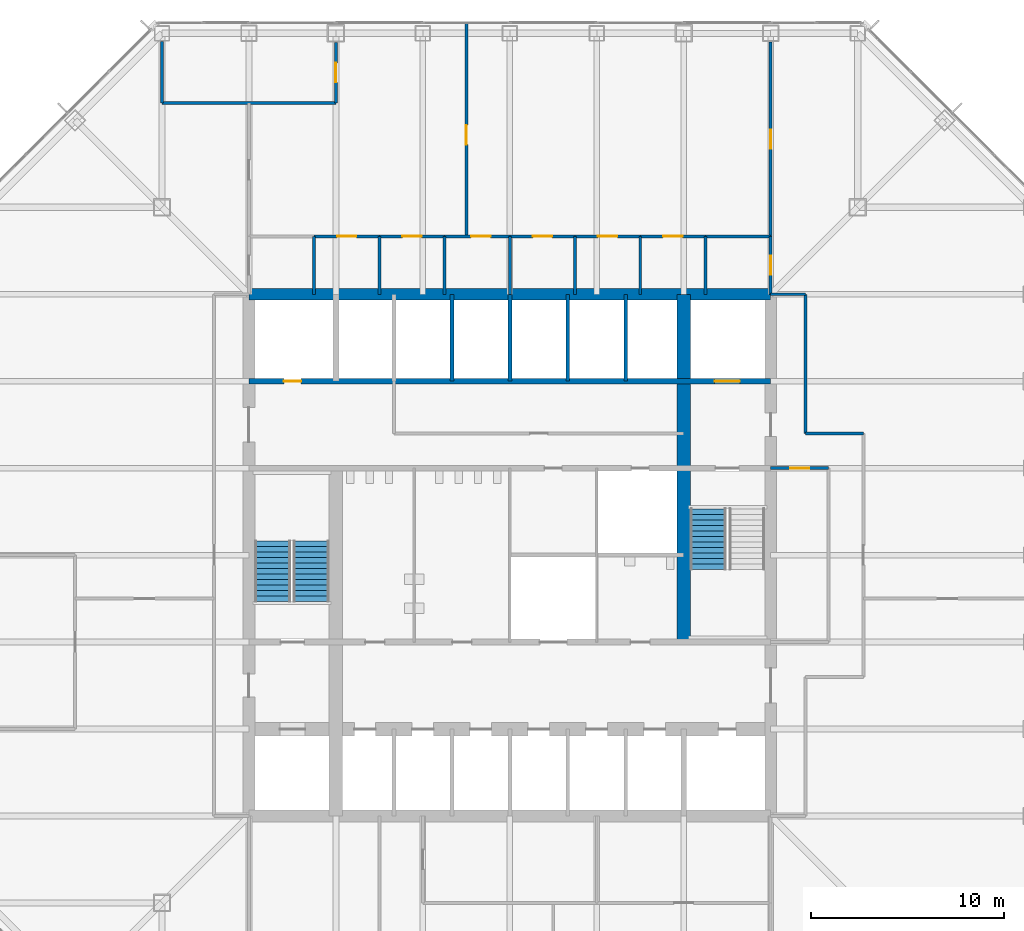
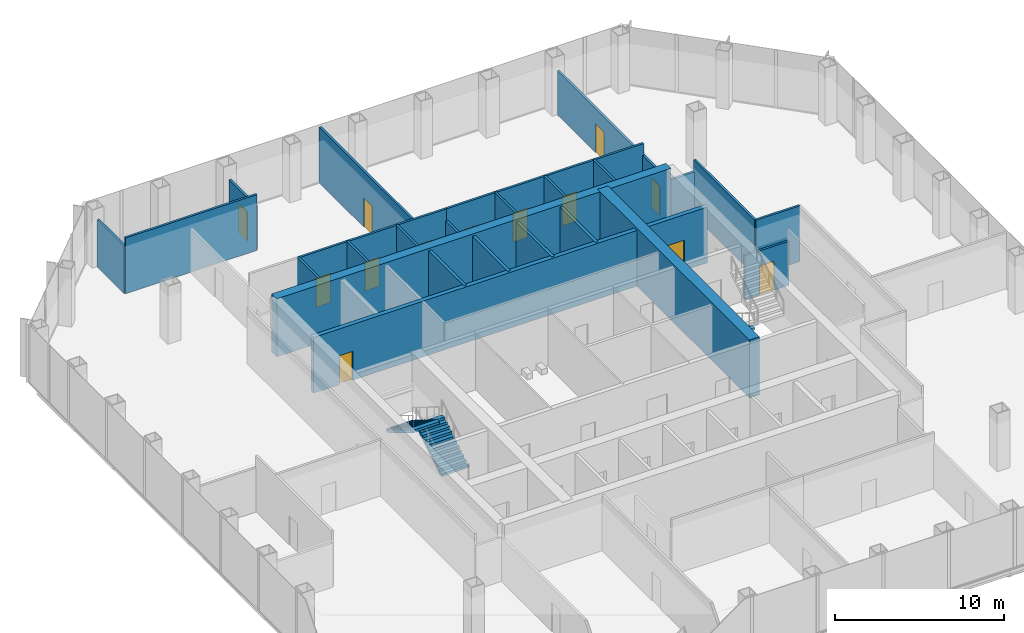
# One storey, part 10 of 13: 31 walls, 13 doors, 3 stair flights, 13 openings, 2 elements without a shape of their own.
"""IFC4 building model written with IfcOpenShell, lengths in metres."""

from ifc_helpers import new_model, si_unit, direction, frame, frame_2d, origin, place, context, subcontext, project, spatial, polyline, rectangle, outline, extrude, material, layer, layer_set, type_object, element, fill, aggregate, save


model = new_model("IFC4")

# Units and contexts
model_context = context("Model", 3, precision=1e-05, world=origin(), true_north=direction((0.0, 1.0)))
body_context = subcontext(model_context, "Body", "Model", "MODEL_VIEW")
ifc_project = project(units=[si_unit("LENGTHUNIT", "METRE"), si_unit("AREAUNIT", "SQUARE_METRE"), si_unit("VOLUMEUNIT", "CUBIC_METRE"), si_unit("PLANEANGLEUNIT", "RADIAN"), si_unit("MASSUNIT", "GRAM", prefix="KILO")], contexts=[model_context])

# Site, building, storey
site_placement = place(None, origin())
site = spatial("IfcSite", under=ifc_project, at=site_placement, CompositionType="ELEMENT")
building_placement = place(site_placement, origin())
building = spatial("IfcBuilding", under=site, at=building_placement, Name="Corais Broadcast Tower", CompositionType="ELEMENT")
storey_placement = place(building_placement, frame((0.0, 0.0, 66.800048828125)))
storey = spatial("IfcBuildingStorey", under=building, at=storey_placement, Name="L14", CompositionType="ELEMENT", Elevation=66.800048828125)

# Walls
ifc_material_1 = material(Name="Concrete C50/60", Category="concrete")
ifc_layer_1 = layer(ifc_material_1, 0.699951171875)
ifc_layer_set_1 = layer_set([ifc_layer_1], Name="Concrete C50/60")
wall_type_1 = type_object("IfcWallType", Name="Core spine wall 700", PredefinedType="SHEAR", material=ifc_layer_set_1)
wall_1_placement = place(storey_placement, frame((36.0, 22.5, 0.0), z_axis=(0.0, 0.0, 1.0), x_axis=(0.0, 1.0, 0.0)))
element("IfcWall", 1, at=wall_1_placement, inside=storey, type_object=wall_type_1, Name="CR700 core wall X36B L14", PredefinedType="SHEAR", context=body_context, shape_type="SweptSolid", body=[
    extrude(rectangle(XDim=18.0, YDim=0.699951171875, at=frame_2d((9.0, 0.0))), origin(), (0.0, 0.0, 1.0), 4.199951171875),
])
ifc_material_2 = material(Name="Concrete C50/60", Category="concrete")
ifc_layer_2 = layer(ifc_material_2, 0.60009765625)
ifc_layer_set_2 = layer_set([ifc_layer_2], Name="Concrete C50/60")
wall_type_2 = type_object("IfcWallType", Name="Core wall 600", PredefinedType="SHEAR", material=ifc_layer_set_2)
wall_2_placement = place(storey_placement, frame((40.5, 40.5, 0.0), z_axis=(0.0, 0.0, 1.0), x_axis=(-1.0, 0.0, 0.0)))
element("IfcWall", 2, at=wall_2_placement, inside=storey, type_object=wall_type_2, Name="CR600 core wall N L14", PredefinedType="SHEAR", context=body_context, shape_type="SweptSolid", body=[
    extrude(rectangle(XDim=27.0, YDim=0.60009765625, at=frame_2d((13.5, 0.0))), origin(), (0.0, 0.0, 1.0), 4.199951171875),
])

# Wall, openings, doors
ifc_material_3 = material(Name="Concrete blockwork class A, grouted, four-hour", Category="masonry")
ifc_layer_3 = layer(ifc_material_3, 0.300048828125)
ifc_layer_set_3 = layer_set([ifc_layer_3], Name="Concrete blockwork class A, grouted, four-hour")
wall_type_3 = type_object("IfcWallType", Name="Emergency lift shaft wall 300", PredefinedType="SOLIDWALL", material=ifc_layer_set_3)
wall_3_placement = place(storey_placement, frame((13.5, 36.0, 0.0), z_axis=(0.0, 0.0, 1.0), x_axis=(1.0, 0.0, 0.0)))
wall_3 = element("IfcWall", 3, at=wall_3_placement, inside=storey, type_object=wall_type_3, Name="LS1 core lobby wall Y36 L14", PredefinedType="SOLIDWALL", context=body_context, shape_type="SweptSolid", body=[
    extrude(rectangle(XDim=27.0, YDim=0.300048828125, at=frame_2d((13.5, 0.0))), origin(), (0.0, 0.0, 1.0), 4.0400390625),
])
opening_1_placement = place(wall_3_placement, frame((1.800048828125, 0.0, 0.0)))
opening_1 = element("IfcOpeningElement", 4, at=opening_1_placement, cuts=wall_3, Name="Opening RD1", PredefinedType="OPENING", context=body_context, shape_type="SweptSolid", body=[
    extrude(rectangle(XDim=0.89990234375, YDim=2.10009765625, at=frame_2d((0.449951171875, 1.050048828125))), frame((0.0, 0.159912109375, 0.0), z_axis=(0.0, -1.0, 0.0), x_axis=(1.0, 0.0, 0.0)), (0.0, 0.0, 1.0), 0.320068359375),
])
opening_2_placement = place(wall_3_placement, frame((24.10009765625, 0.0, 0.0)))
opening_2 = element("IfcOpeningElement", 5, at=opening_2_placement, cuts=wall_3, Name="Opening LD2", PredefinedType="OPENING", context=body_context, shape_type="SweptSolid", body=[
    extrude(rectangle(XDim=1.300048828125, YDim=2.199951171875, at=frame_2d((0.64990234375, 1.10009765625))), frame((0.0, 0.159912109375, 0.0), z_axis=(0.0, -1.0, 0.0), x_axis=(1.0, 0.0, 0.0)), (0.0, 0.0, 1.0), 0.320068359375),
])
ifc_material_4 = material(Name="Stainless steel lift door", Category="steel")
door_type_1 = type_object("IfcDoorType", Name="Lift landing door 1300x2200", OperationType="SLIDING_TO_LEFT", PredefinedType="DOOR", material=ifc_material_4)
door_1_placement = place(opening_2_placement, origin())
door_1 = element("IfcDoor", 6, at=door_1_placement, inside=storey, type_object=door_type_1, Name="LD2 FL2 landing door L14", OperationType="SLIDING_TO_LEFT", OverallHeight=2.199951171875, OverallWidth=1.300048828125, PredefinedType="DOOR", context=body_context, shape_type="SweptSolid", body=[
    extrude(rectangle(XDim=1.300048828125, YDim=2.199951171875, at=frame_2d((0.64990234375, 1.10009765625))), frame((0.0, 0.02490234375, 0.0), z_axis=(0.0, -1.0, 0.0), x_axis=(1.0, 0.0, 0.0)), (0.0, 0.0, 1.0), 0.050048828125),
])
fill(opening_2, door_1)
ifc_material_5 = material(Name="Steel fire door", Category="steel")
door_type_2 = type_object("IfcDoorType", Name="Riser door 900x2100", OperationType="SINGLE_SWING_LEFT", PredefinedType="DOOR", material=ifc_material_5)
door_2_placement = place(opening_1_placement, origin())
door_2 = element("IfcDoor", 7, at=door_2_placement, inside=storey, type_object=door_type_2, Name="RD1 riser door L14", OperationType="SINGLE_SWING_LEFT", OverallHeight=2.10009765625, OverallWidth=0.89990234375, PredefinedType="DOOR", context=body_context, shape_type="SweptSolid", body=[
    extrude(rectangle(XDim=0.89990234375, YDim=2.10009765625, at=frame_2d((0.449951171875, 1.050048828125))), frame((0.0, 0.02490234375, 0.0), z_axis=(0.0, -1.0, 0.0), x_axis=(1.0, 0.0, 0.0)), (0.0, 0.0, 1.0), 0.050048828125),
])
fill(opening_1, door_2)

# Walls
ifc_material_6 = material(Name="Gypsum board on steel studs", Category="steel")
ifc_layer_4 = layer(ifc_material_6, 0.14990234375)
ifc_layer_set_4 = layer_set([ifc_layer_4], Name="Gypsum board on steel studs")
wall_type_4 = type_object("IfcWallType", Name="Partition 150", PredefinedType="PARTITIONING", material=ifc_layer_set_4)
wall_4_placement = place(storey_placement, frame((42.300048828125, 33.300048828125, 0.0), z_axis=(0.0, 0.0, 1.0), x_axis=(0.0, 1.0, 0.0)))
element("IfcWall", 8, at=wall_4_placement, inside=storey, type_object=wall_type_4, Name="IW3 corridor wall L14", PredefinedType="PARTITIONING", context=body_context, shape_type="SweptSolid", body=[
    extrude(rectangle(XDim=7.199951171875, YDim=0.14990234375, at=frame_2d((3.60009765625, 0.0))), origin(), (0.0, 0.0, 1.0), 4.0400390625),
])
wall_5_placement = place(storey_placement, frame((45.300048828125, 33.300048828125, 0.0), z_axis=(0.0, 0.0, 1.0), x_axis=(-1.0, 0.0, 0.0)))
element("IfcWall", 9, at=wall_5_placement, inside=storey, type_object=wall_type_4, Name="IW3 corridor wall L14", PredefinedType="PARTITIONING", context=body_context, shape_type="SweptSolid", body=[
    extrude(rectangle(XDim=3.0, YDim=0.14990234375, at=frame_2d((1.5, 0.0))), origin(), (0.0, 0.0, 1.0), 4.0400390625),
])
wall_6_placement = place(storey_placement, frame((42.300048828125, 40.5, 0.0), z_axis=(0.0, 0.0, 1.0), x_axis=(-1.0, 0.0, 0.0)))
element("IfcWall", 10, at=wall_6_placement, inside=storey, type_object=wall_type_4, Name="IW3 corridor wall L14", PredefinedType="PARTITIONING", context=body_context, shape_type="SweptSolid", body=[
    extrude(rectangle(XDim=1.800048828125, YDim=0.14990234375, at=frame_2d((0.89990234375, 0.0))), origin(), (0.0, 0.0, 1.0), 3.18896484375),
])
for number, where, z_axis, x_axis, name in (
    (11, (16.875, 40.5, 0.0), (0.0, 0.0, 1.0), (0.0, 1.0, 0.0), "IW3 partition L14"),
    (12, (20.25, 40.5, 0.0), (0.0, 0.0, 1.0), (0.0, 1.0, 0.0), "IW3 partition L14"),
):
    element("IfcWall", number, at=place(storey_placement, frame(where, z_axis=z_axis, x_axis=x_axis)), inside=storey, type_object=wall_type_4, Name=name, PredefinedType="PARTITIONING", context=body_context, shape_type="SweptSolid", body=[
        extrude(rectangle(XDim=3.0, YDim=0.14990234375, at=frame_2d((1.5, 0.0))), origin(), (0.0, 0.0, 1.0), 4.0400390625),
    ])

# Wall, opening, door
wall_7_placement = place(storey_placement, frame((20.25, 43.5, 0.0), z_axis=(0.0, 0.0, 1.0), x_axis=(-1.0, 0.0, 0.0)))
wall_7 = element("IfcWall", 13, at=wall_7_placement, inside=storey, type_object=wall_type_4, Name="IW3 partition L14", PredefinedType="PARTITIONING", context=body_context, shape_type="SweptSolid", body=[
    extrude(rectangle(XDim=3.375, YDim=0.14990234375, at=frame_2d((1.6875, 0.0))), origin(), (0.0, 0.0, 1.0), 4.0400390625),
])
opening_3_placement = place(wall_7_placement, frame((1.1875, 0.0, 0.0)))
opening_3 = element("IfcOpeningElement", 14, at=opening_3_placement, cuts=wall_7, Name="Opening D1", PredefinedType="OPENING", context=body_context, shape_type="SweptSolid", body=[
    extrude(rectangle(XDim=1.0, YDim=2.10009765625, at=frame_2d((0.5, 1.050048828125))), frame((0.0, 0.0849609375, 0.0), z_axis=(0.0, -1.0, 0.0), x_axis=(1.0, 0.0, 0.0)), (0.0, 0.0, 1.0), 0.169921875),
])
ifc_material_7 = material(Name="Timber door", Category="wood")
door_type_3 = type_object("IfcDoorType", Name="Single door 1000x2100", OperationType="SINGLE_SWING_LEFT", PredefinedType="DOOR", material=ifc_material_7)
door_3_placement = place(opening_3_placement, origin())
door_3 = element("IfcDoor", 15, at=door_3_placement, inside=storey, type_object=door_type_3, Name="D1 Podcast booth door", OperationType="SINGLE_SWING_LEFT", OverallHeight=2.10009765625, OverallWidth=1.0, PredefinedType="DOOR", context=body_context, shape_type="SweptSolid", body=[
    extrude(rectangle(XDim=1.0, YDim=2.10009765625, at=frame_2d((0.5, 1.050048828125))), frame((0.0, 0.02490234375, 0.0), z_axis=(0.0, -1.0, 0.0), x_axis=(1.0, 0.0, 0.0)), (0.0, 0.0, 1.0), 0.050048828125),
])
fill(opening_3, door_3)

# Wall
wall_8_placement = place(storey_placement, frame((23.625, 40.5, 0.0), z_axis=(0.0, 0.0, 1.0), x_axis=(0.0, 1.0, 0.0)))
element("IfcWall", 16, at=wall_8_placement, inside=storey, type_object=wall_type_4, Name="IW3 partition L14", PredefinedType="PARTITIONING", context=body_context, shape_type="SweptSolid", body=[
    extrude(rectangle(XDim=3.0, YDim=0.14990234375, at=frame_2d((1.5, 0.0))), origin(), (0.0, 0.0, 1.0), 4.0400390625),
])

# Wall, opening, door
wall_9_placement = place(storey_placement, frame((23.625, 43.5, 0.0), z_axis=(0.0, 0.0, 1.0), x_axis=(-1.0, 0.0, 0.0)))
wall_9 = element("IfcWall", 17, at=wall_9_placement, inside=storey, type_object=wall_type_4, Name="IW3 partition L14", PredefinedType="PARTITIONING", context=body_context, shape_type="SweptSolid", body=[
    extrude(rectangle(XDim=3.375, YDim=0.14990234375, at=frame_2d((1.6875, 0.0))), origin(), (0.0, 0.0, 1.0), 4.0400390625),
])
opening_4_placement = place(wall_9_placement, frame((1.1875, 0.0, 0.0)))
opening_4 = element("IfcOpeningElement", 18, at=opening_4_placement, cuts=wall_9, Name="Opening D1", PredefinedType="OPENING", context=body_context, shape_type="SweptSolid", body=[
    extrude(rectangle(XDim=1.0, YDim=2.10009765625, at=frame_2d((0.5, 1.050048828125))), frame((0.0, 0.0849609375, 0.0), z_axis=(0.0, -1.0, 0.0), x_axis=(1.0, 0.0, 0.0)), (0.0, 0.0, 1.0), 0.169921875),
])
door_4_placement = place(opening_4_placement, origin())
door_4 = element("IfcDoor", 19, at=door_4_placement, inside=storey, type_object=door_type_3, Name="D1 Podcast booth door", OperationType="SINGLE_SWING_LEFT", OverallHeight=2.10009765625, OverallWidth=1.0, PredefinedType="DOOR", context=body_context, shape_type="SweptSolid", body=[
    extrude(rectangle(XDim=1.0, YDim=2.10009765625, at=frame_2d((0.5, 1.050048828125))), frame((0.0, 0.02490234375, 0.0), z_axis=(0.0, -1.0, 0.0), x_axis=(1.0, 0.0, 0.0)), (0.0, 0.0, 1.0), 0.050048828125),
])
fill(opening_4, door_4)

# Wall
wall_10_placement = place(storey_placement, frame((27.0, 40.5, 0.0), z_axis=(0.0, 0.0, 1.0), x_axis=(0.0, 1.0, 0.0)))
element("IfcWall", 20, at=wall_10_placement, inside=storey, type_object=wall_type_4, Name="IW3 partition L14", PredefinedType="PARTITIONING", context=body_context, shape_type="SweptSolid", body=[
    extrude(rectangle(XDim=3.0, YDim=0.14990234375, at=frame_2d((1.5, 0.0))), origin(), (0.0, 0.0, 1.0), 3.18896484375),
])

# Wall, opening, door
wall_11_placement = place(storey_placement, frame((27.0, 43.5, 0.0), z_axis=(0.0, 0.0, 1.0), x_axis=(-1.0, 0.0, 0.0)))
wall_11 = element("IfcWall", 21, at=wall_11_placement, inside=storey, type_object=wall_type_4, Name="IW3 partition L14", PredefinedType="PARTITIONING", context=body_context, shape_type="SweptSolid", body=[
    extrude(rectangle(XDim=3.375, YDim=0.14990234375, at=frame_2d((1.6875, 0.0))), origin(), (0.0, 0.0, 1.0), 4.0400390625),
])
opening_5_placement = place(wall_11_placement, frame((1.0, 0.0, 0.0)))
opening_5 = element("IfcOpeningElement", 22, at=opening_5_placement, cuts=wall_11, Name="Opening D1", PredefinedType="OPENING", context=body_context, shape_type="SweptSolid", body=[
    extrude(rectangle(XDim=1.0, YDim=2.10009765625, at=frame_2d((0.5, 1.050048828125))), frame((0.0, 0.0849609375, 0.0), z_axis=(0.0, -1.0, 0.0), x_axis=(1.0, 0.0, 0.0)), (0.0, 0.0, 1.0), 0.169921875),
])
door_5_placement = place(opening_5_placement, origin())
door_5 = element("IfcDoor", 23, at=door_5_placement, inside=storey, type_object=door_type_3, Name="D1 Podcast booth door", OperationType="SINGLE_SWING_LEFT", OverallHeight=2.10009765625, OverallWidth=1.0, PredefinedType="DOOR", context=body_context, shape_type="SweptSolid", body=[
    extrude(rectangle(XDim=1.0, YDim=2.10009765625, at=frame_2d((0.5, 1.050048828125))), frame((0.0, 0.02490234375, 0.0), z_axis=(0.0, -1.0, 0.0), x_axis=(1.0, 0.0, 0.0)), (0.0, 0.0, 1.0), 0.050048828125),
])
fill(opening_5, door_5)

# Wall
wall_12_placement = place(storey_placement, frame((30.375, 40.5, 0.0), z_axis=(0.0, 0.0, 1.0), x_axis=(0.0, 1.0, 0.0)))
element("IfcWall", 24, at=wall_12_placement, inside=storey, type_object=wall_type_4, Name="IW3 partition L14", PredefinedType="PARTITIONING", context=body_context, shape_type="SweptSolid", body=[
    extrude(rectangle(XDim=3.0, YDim=0.14990234375, at=frame_2d((1.5, 0.0))), origin(), (0.0, 0.0, 1.0), 4.0400390625),
])

# Wall, opening, door
wall_13_placement = place(storey_placement, frame((30.375, 43.5, 0.0), z_axis=(0.0, 0.0, 1.0), x_axis=(-1.0, 0.0, 0.0)))
wall_13 = element("IfcWall", 25, at=wall_13_placement, inside=storey, type_object=wall_type_4, Name="IW3 partition L14", PredefinedType="PARTITIONING", context=body_context, shape_type="SweptSolid", body=[
    extrude(rectangle(XDim=3.375, YDim=0.14990234375, at=frame_2d((1.6875, 0.0))), origin(), (0.0, 0.0, 1.0), 4.0400390625),
])
opening_6_placement = place(wall_13_placement, frame((1.1875, 0.0, 0.0)))
opening_6 = element("IfcOpeningElement", 26, at=opening_6_placement, cuts=wall_13, Name="Opening D1", PredefinedType="OPENING", context=body_context, shape_type="SweptSolid", body=[
    extrude(rectangle(XDim=1.0, YDim=2.10009765625, at=frame_2d((0.5, 1.050048828125))), frame((0.0, 0.0849609375, 0.0), z_axis=(0.0, -1.0, 0.0), x_axis=(1.0, 0.0, 0.0)), (0.0, 0.0, 1.0), 0.169921875),
])
door_6_placement = place(opening_6_placement, origin())
door_6 = element("IfcDoor", 27, at=door_6_placement, inside=storey, type_object=door_type_3, Name="D1 Podcast booth door", OperationType="SINGLE_SWING_LEFT", OverallHeight=2.10009765625, OverallWidth=1.0, PredefinedType="DOOR", context=body_context, shape_type="SweptSolid", body=[
    extrude(rectangle(XDim=1.0, YDim=2.10009765625, at=frame_2d((0.5, 1.050048828125))), frame((0.0, 0.02490234375, 0.0), z_axis=(0.0, -1.0, 0.0), x_axis=(1.0, 0.0, 0.0)), (0.0, 0.0, 1.0), 0.050048828125),
])
fill(opening_6, door_6)

# Wall
wall_14_placement = place(storey_placement, frame((33.75, 40.5, 0.0), z_axis=(0.0, 0.0, 1.0), x_axis=(0.0, 1.0, 0.0)))
element("IfcWall", 28, at=wall_14_placement, inside=storey, type_object=wall_type_4, Name="IW3 partition L14", PredefinedType="PARTITIONING", context=body_context, shape_type="SweptSolid", body=[
    extrude(rectangle(XDim=3.0, YDim=0.14990234375, at=frame_2d((1.5, 0.0))), origin(), (0.0, 0.0, 1.0), 4.0400390625),
])

# Wall, opening, door
wall_15_placement = place(storey_placement, frame((33.75, 43.5, 0.0), z_axis=(0.0, 0.0, 1.0), x_axis=(-1.0, 0.0, 0.0)))
wall_15 = element("IfcWall", 29, at=wall_15_placement, inside=storey, type_object=wall_type_4, Name="IW3 partition L14", PredefinedType="PARTITIONING", context=body_context, shape_type="SweptSolid", body=[
    extrude(rectangle(XDim=3.375, YDim=0.14990234375, at=frame_2d((1.6875, 0.0))), origin(), (0.0, 0.0, 1.0), 4.0400390625),
])
opening_7_placement = place(wall_15_placement, frame((1.1875, 0.0, 0.0)))
opening_7 = element("IfcOpeningElement", 30, at=opening_7_placement, cuts=wall_15, Name="Opening D1", PredefinedType="OPENING", context=body_context, shape_type="SweptSolid", body=[
    extrude(rectangle(XDim=1.0, YDim=2.10009765625, at=frame_2d((0.5, 1.050048828125))), frame((0.0, 0.0849609375, 0.0), z_axis=(0.0, -1.0, 0.0), x_axis=(1.0, 0.0, 0.0)), (0.0, 0.0, 1.0), 0.169921875),
])
door_7_placement = place(opening_7_placement, origin())
door_7 = element("IfcDoor", 31, at=door_7_placement, inside=storey, type_object=door_type_3, Name="D1 Podcast booth door", OperationType="SINGLE_SWING_LEFT", OverallHeight=2.10009765625, OverallWidth=1.0, PredefinedType="DOOR", context=body_context, shape_type="SweptSolid", body=[
    extrude(rectangle(XDim=1.0, YDim=2.10009765625, at=frame_2d((0.5, 1.050048828125))), frame((0.0, 0.02490234375, 0.0), z_axis=(0.0, -1.0, 0.0), x_axis=(1.0, 0.0, 0.0)), (0.0, 0.0, 1.0), 0.050048828125),
])
fill(opening_7, door_7)

# Wall
wall_16_placement = place(storey_placement, frame((37.125, 40.5, 0.0), z_axis=(0.0, 0.0, 1.0), x_axis=(0.0, 1.0, 0.0)))
element("IfcWall", 32, at=wall_16_placement, inside=storey, type_object=wall_type_4, Name="IW3 partition L14", PredefinedType="PARTITIONING", context=body_context, shape_type="SweptSolid", body=[
    extrude(rectangle(XDim=3.0, YDim=0.14990234375, at=frame_2d((1.5, 0.0))), origin(), (0.0, 0.0, 1.0), 4.0400390625),
])

# Wall, opening, door
wall_17_placement = place(storey_placement, frame((37.125, 43.5, 0.0), z_axis=(0.0, 0.0, 1.0), x_axis=(-1.0, 0.0, 0.0)))
wall_17 = element("IfcWall", 33, at=wall_17_placement, inside=storey, type_object=wall_type_4, Name="IW3 partition L14", PredefinedType="PARTITIONING", context=body_context, shape_type="SweptSolid", body=[
    extrude(rectangle(XDim=3.375, YDim=0.14990234375, at=frame_2d((1.6875, 0.0))), origin(), (0.0, 0.0, 1.0), 4.0400390625),
])
opening_8_placement = place(wall_17_placement, frame((1.1875, 0.0, 0.0)))
opening_8 = element("IfcOpeningElement", 34, at=opening_8_placement, cuts=wall_17, Name="Opening D1", PredefinedType="OPENING", context=body_context, shape_type="SweptSolid", body=[
    extrude(rectangle(XDim=1.0, YDim=2.10009765625, at=frame_2d((0.5, 1.050048828125))), frame((0.0, 0.0849609375, 0.0), z_axis=(0.0, -1.0, 0.0), x_axis=(1.0, 0.0, 0.0)), (0.0, 0.0, 1.0), 0.169921875),
])
door_8_placement = place(opening_8_placement, origin())
door_8 = element("IfcDoor", 35, at=door_8_placement, inside=storey, type_object=door_type_3, Name="D1 Podcast booth door", OperationType="SINGLE_SWING_LEFT", OverallHeight=2.10009765625, OverallWidth=1.0, PredefinedType="DOOR", context=body_context, shape_type="SweptSolid", body=[
    extrude(rectangle(XDim=1.0, YDim=2.10009765625, at=frame_2d((0.5, 1.050048828125))), frame((0.0, 0.02490234375, 0.0), z_axis=(0.0, -1.0, 0.0), x_axis=(1.0, 0.0, 0.0)), (0.0, 0.0, 1.0), 0.050048828125),
])
fill(opening_8, door_8)

wall_18_placement = place(storey_placement, frame((40.5, 40.5, 0.0), z_axis=(0.0, 0.0, 1.0), x_axis=(0.0, 1.0, 0.0)))
wall_18 = element("IfcWall", 36, at=wall_18_placement, inside=storey, type_object=wall_type_4, Name="IW3 partition L14", PredefinedType="PARTITIONING", context=body_context, shape_type="SweptSolid", body=[
    extrude(rectangle(XDim=3.0, YDim=0.14990234375, at=frame_2d((1.5, 0.0))), origin(), (0.0, 0.0, 1.0), 3.18896484375),
])
opening_9_placement = place(wall_18_placement, frame((1.0, 0.0, 0.0)))
opening_9 = element("IfcOpeningElement", 37, at=opening_9_placement, cuts=wall_18, Name="Opening D1", PredefinedType="OPENING", context=body_context, shape_type="SweptSolid", body=[
    extrude(rectangle(XDim=1.0, YDim=2.10009765625, at=frame_2d((0.5, 1.050048828125))), frame((0.0, 0.0849609375, 0.0), z_axis=(0.0, -1.0, 0.0), x_axis=(1.0, 0.0, 0.0)), (0.0, 0.0, 1.0), 0.169921875),
])
door_9_placement = place(opening_9_placement, origin())
door_9 = element("IfcDoor", 38, at=door_9_placement, inside=storey, type_object=door_type_3, Name="D1 Podcast booth door", OperationType="SINGLE_SWING_LEFT", OverallHeight=2.10009765625, OverallWidth=1.0, PredefinedType="DOOR", context=body_context, shape_type="SweptSolid", body=[
    extrude(rectangle(XDim=1.0, YDim=2.10009765625, at=frame_2d((0.5, 1.050048828125))), frame((0.0, 0.02490234375, 0.0), z_axis=(0.0, -1.0, 0.0), x_axis=(1.0, 0.0, 0.0)), (0.0, 0.0, 1.0), 0.050048828125),
])
fill(opening_9, door_9)

# Walls
wall_19_placement = place(storey_placement, frame((40.5, 43.5, 0.0), z_axis=(0.0, 0.0, 1.0), x_axis=(-1.0, 0.0, 0.0)))
element("IfcWall", 39, at=wall_19_placement, inside=storey, type_object=wall_type_4, Name="IW3 partition L14", PredefinedType="PARTITIONING", context=body_context, shape_type="SweptSolid", body=[
    extrude(rectangle(XDim=3.375, YDim=0.14990234375, at=frame_2d((1.6875, 0.0))), origin(), (0.0, 0.0, 1.0), 4.0400390625),
])
wall_20_placement = place(storey_placement, frame((9.0, 50.39990234375, 0.0), z_axis=(0.0, 0.0, 1.0), x_axis=(1.0, 0.0, 0.0)))
element("IfcWall", 40, at=wall_20_placement, inside=storey, type_object=wall_type_4, Name="IW3 partition L14", PredefinedType="PARTITIONING", context=body_context, shape_type="SweptSolid", body=[
    extrude(rectangle(XDim=9.0, YDim=0.14990234375, at=frame_2d((4.5, 0.0))), origin(), (0.0, 0.0, 1.0), 4.0400390625),
])

# Wall, opening, door
wall_21_placement = place(storey_placement, frame((18.0, 50.39990234375, 0.0), z_axis=(0.0, 0.0, 1.0), x_axis=(0.0, 1.0, 0.0)))
wall_21 = element("IfcWall", 41, at=wall_21_placement, inside=storey, type_object=wall_type_4, Name="IW3 partition L14", PredefinedType="PARTITIONING", context=body_context, shape_type="SweptSolid", body=[
    extrude(rectangle(XDim=3.14013671875, YDim=0.14990234375, at=frame_2d((1.570068359375, 0.0))), origin(), (0.0, 0.0, 1.0), 3.18896484375),
])
opening_10_placement = place(wall_21_placement, frame((1.070068359375, 0.0, 0.0)))
opening_10 = element("IfcOpeningElement", 42, at=opening_10_placement, cuts=wall_21, Name="Opening D1", PredefinedType="OPENING", context=body_context, shape_type="SweptSolid", body=[
    extrude(rectangle(XDim=1.0, YDim=2.10009765625, at=frame_2d((0.5, 1.050048828125))), frame((0.0, 0.0849609375, 0.0), z_axis=(0.0, -1.0, 0.0), x_axis=(1.0, 0.0, 0.0)), (0.0, 0.0, 1.0), 0.169921875),
])
door_10_placement = place(opening_10_placement, origin())
door_10 = element("IfcDoor", 43, at=door_10_placement, inside=storey, type_object=door_type_3, Name="D1 Pantry door", OperationType="SINGLE_SWING_LEFT", OverallHeight=2.10009765625, OverallWidth=1.0, PredefinedType="DOOR", context=body_context, shape_type="SweptSolid", body=[
    extrude(rectangle(XDim=1.0, YDim=2.10009765625, at=frame_2d((0.5, 1.050048828125))), frame((0.0, 0.02490234375, 0.0), z_axis=(0.0, -1.0, 0.0), x_axis=(1.0, 0.0, 0.0)), (0.0, 0.0, 1.0), 0.050048828125),
])
fill(opening_10, door_10)

# Wall
wall_22_placement = place(storey_placement, frame((9.0, 53.590087890625, 0.0), z_axis=(0.0, 0.0, 1.0), x_axis=(0.0, -1.0, 0.0)))
element("IfcWall", 44, at=wall_22_placement, inside=storey, type_object=wall_type_4, Name="IW3 partition L14", PredefinedType="PARTITIONING", context=body_context, shape_type="SweptSolid", body=[
    extrude(rectangle(XDim=3.190185546875, YDim=0.14990234375, at=frame_2d((1.59521484375, 0.0))), origin(), (0.0, 0.0, 1.0), 3.428955078125),
])

# Wall, opening, door
wall_23_placement = place(storey_placement, frame((43.5, 31.5, 0.0), z_axis=(0.0, 0.0, 1.0), x_axis=(-1.0, 0.0, 0.0)))
wall_23 = element("IfcWall", 45, at=wall_23_placement, inside=storey, type_object=wall_type_4, Name="IW3 partition L14", PredefinedType="PARTITIONING", context=body_context, shape_type="SweptSolid", body=[
    extrude(rectangle(XDim=3.0, YDim=0.14990234375, at=frame_2d((1.5, 0.0))), origin(), (0.0, 0.0, 1.0), 3.18896484375),
])
opening_11_placement = place(wall_23_placement, frame((1.0, 0.0, 0.0)))
opening_11 = element("IfcOpeningElement", 46, at=opening_11_placement, cuts=wall_23, Name="Opening D1", PredefinedType="OPENING", context=body_context, shape_type="SweptSolid", body=[
    extrude(rectangle(XDim=1.0, YDim=2.10009765625, at=frame_2d((0.5, 1.050048828125))), frame((0.0, 0.0849609375, 0.0), z_axis=(0.0, -1.0, 0.0), x_axis=(1.0, 0.0, 0.0)), (0.0, 0.0, 1.0), 0.169921875),
])
door_11_placement = place(opening_11_placement, origin())
door_11 = element("IfcDoor", 47, at=door_11_placement, inside=storey, type_object=door_type_3, Name="D1 Quiet room door", OperationType="SINGLE_SWING_LEFT", OverallHeight=2.10009765625, OverallWidth=1.0, PredefinedType="DOOR", context=body_context, shape_type="SweptSolid", body=[
    extrude(rectangle(XDim=1.0, YDim=2.10009765625, at=frame_2d((0.5, 1.050048828125))), frame((0.0, 0.02490234375, 0.0), z_axis=(0.0, -1.0, 0.0), x_axis=(1.0, 0.0, 0.0)), (0.0, 0.0, 1.0), 0.050048828125),
])
fill(opening_11, door_11)

wall_24_placement = place(storey_placement, frame((40.5, 53.554931640625, 0.0), z_axis=(0.0, 0.0, 1.0), x_axis=(0.0, -1.0, 0.0)))
wall_24 = element("IfcWall", 48, at=wall_24_placement, inside=storey, type_object=wall_type_4, Name="IW3 partition L14", PredefinedType="PARTITIONING", context=body_context, shape_type="SweptSolid", body=[
    extrude(rectangle(XDim=10.054931640625, YDim=0.14990234375, at=frame_2d((5.02734375, 0.0))), origin(), (0.0, 0.0, 1.0), 3.18896484375),
])
opening_12_placement = place(wall_24_placement, frame((4.527587890625, 0.0, 0.0)))
opening_12 = element("IfcOpeningElement", 49, at=opening_12_placement, cuts=wall_24, Name="Opening D1", PredefinedType="OPENING", context=body_context, shape_type="SweptSolid", body=[
    extrude(rectangle(XDim=1.0, YDim=2.10009765625, at=frame_2d((0.5, 1.050048828125))), frame((0.0, 0.0849609375, 0.0), z_axis=(0.0, -1.0, 0.0), x_axis=(1.0, 0.0, 0.0)), (0.0, 0.0, 1.0), 0.169921875),
])
door_12_placement = place(opening_12_placement, origin())
door_12 = element("IfcDoor", 50, at=door_12_placement, inside=storey, type_object=door_type_3, Name="D1 team room door L14", OperationType="SINGLE_SWING_LEFT", OverallHeight=2.10009765625, OverallWidth=1.0, PredefinedType="DOOR", context=body_context, shape_type="SweptSolid", body=[
    extrude(rectangle(XDim=1.0, YDim=2.10009765625, at=frame_2d((0.5, 1.050048828125))), frame((0.0, 0.02490234375, 0.0), z_axis=(0.0, -1.0, 0.0), x_axis=(1.0, 0.0, 0.0)), (0.0, 0.0, 1.0), 0.050048828125),
])
fill(opening_12, door_12)

wall_25_placement = place(storey_placement, frame((24.75, 43.5, 0.0), z_axis=(0.0, 0.0, 1.0), x_axis=(0.0, 1.0, 0.0)))
wall_25 = element("IfcWall", 51, at=wall_25_placement, inside=storey, type_object=wall_type_4, Name="IW3 partition L14", PredefinedType="PARTITIONING", context=body_context, shape_type="SweptSolid", body=[
    extrude(rectangle(XDim=11.02001953125, YDim=0.14990234375, at=frame_2d((5.510009765625, 0.0))), origin(), (0.0, 0.0, 1.0), 4.0400390625),
])
opening_13_placement = place(wall_25_placement, frame((4.75, 0.0, 0.0)))
opening_13 = element("IfcOpeningElement", 52, at=opening_13_placement, cuts=wall_25, Name="Opening D1", PredefinedType="OPENING", context=body_context, shape_type="SweptSolid", body=[
    extrude(rectangle(XDim=1.0, YDim=2.10009765625, at=frame_2d((0.5, 1.050048828125))), frame((0.0, 0.0849609375, 0.0), z_axis=(0.0, -1.0, 0.0), x_axis=(1.0, 0.0, 0.0)), (0.0, 0.0, 1.0), 0.169921875),
])
door_13_placement = place(opening_13_placement, origin())
door_13 = element("IfcDoor", 53, at=door_13_placement, inside=storey, type_object=door_type_3, Name="D1 team room door L14", OperationType="SINGLE_SWING_LEFT", OverallHeight=2.10009765625, OverallWidth=1.0, PredefinedType="DOOR", context=body_context, shape_type="SweptSolid", body=[
    extrude(rectangle(XDim=1.0, YDim=2.10009765625, at=frame_2d((0.5, 1.050048828125))), frame((0.0, 0.02490234375, 0.0), z_axis=(0.0, -1.0, 0.0), x_axis=(1.0, 0.0, 0.0)), (0.0, 0.0, 1.0), 0.050048828125),
])
fill(opening_13, door_13)

# Walls
ifc_material_8 = material(Name="Concrete blockwork class A, grouted, two-hour", Category="masonry")
ifc_layer_5 = layer(ifc_material_8, 0.199951171875)
ifc_layer_set_5 = layer_set([ifc_layer_5], Name="Concrete blockwork class A, grouted, two-hour")
wall_type_5 = type_object("IfcWallType", Name="Shaft wall 200", PredefinedType="PARTITIONING", material=ifc_layer_set_5)
for number, where, z_axis, x_axis, name in (
    (54, (24.0, 36.0, 0.0), (0.0, 0.0, 1.0), (0.0, 1.0, 0.0), "IW1 shaft wall L14"),
    (55, (27.0, 36.0, 0.0), (0.0, 0.0, 1.0), (0.0, 1.0, 0.0), "IW1 shaft wall L14"),
    (56, (30.0, 36.0, 0.0), (0.0, 0.0, 1.0), (0.0, 1.0, 0.0), "IW1 shaft wall L14"),
    (57, (33.0, 36.0, 0.0), (0.0, 0.0, 1.0), (0.0, 1.0, 0.0), "IW1 shaft wall L14"),
):
    element("IfcWall", number, at=place(storey_placement, frame(where, z_axis=z_axis, x_axis=x_axis)), inside=storey, type_object=wall_type_5, Name=name, PredefinedType="PARTITIONING", context=body_context, shape_type="SweptSolid", body=[
        extrude(rectangle(XDim=4.5, YDim=0.199951171875, at=frame_2d((2.25, 0.0))), origin(), (0.0, 0.0, 1.0), 4.0400390625),
    ])

# Stair, stair flights
ifc_material_9 = material(Name="Concrete C30/37", Category="concrete")
stair_type = type_object("IfcStairType", Name="Half-turn stair 4200", PredefinedType="HALF_TURN_STAIR", material=ifc_material_9)
stair_1_placement = place(storey_placement, origin())
stair_1 = element("IfcStair", 58, at=stair_1_placement, inside=storey, type_object=stair_type, Name="Stair A L14", PredefinedType="HALF_TURN_STAIR")
ifc_material_10 = material(Name="Concrete C30/37", Category="concrete")
stair_flight_type = type_object("IfcStairFlightType", Name="Stair flight 4200", PredefinedType="STRAIGHT", material=ifc_material_10)
stair_flight_1_placement = place(storey_placement, frame((16.72509765625, 24.60009765625, 0.0), z_axis=(0.0, 0.0, 1.0), x_axis=(0.0, 1.0, 0.0)))
stair_flight_1 = element("IfcStairFlight", 59, at=stair_flight_1_placement, type_object=stair_flight_type, Name="STA flight 1", NumberOfRisers=12, NumberOfTreads=11, PredefinedType="STRAIGHT", RiserHeight=0.175, TreadLength=0.285, context=body_context, shape_type="SweptSolid", body=[
    extrude(outline(polyline([(0.0, 0.0), (0.0, 0.175048828125), (0.284912109375, 0.175048828125), (0.284912109375, 0.35009765625), (0.570068359375, 0.35009765625), (0.570068359375, 0.52490234375), (0.85498046875, 0.52490234375), (0.85498046875, 0.699951171875), (1.139892578125, 0.699951171875), (1.139892578125, 0.875), (1.425048828125, 0.875), (1.425048828125, 1.050048828125), (1.7099609375, 1.050048828125), (1.7099609375, 1.22509765625), (1.9951171875, 1.22509765625), (1.9951171875, 1.39990234375), (2.280029296875, 1.39990234375), (2.280029296875, 1.574951171875), (2.56494140625, 1.574951171875), (2.56494140625, 1.75), (2.85009765625, 1.75), (2.85009765625, 1.925048828125), (3.135009765625, 1.925048828125), (3.135009765625, 2.10009765625), (3.135009765625, 1.7490234375), (0.286376953125, 0.0), (0.0, 0.0)])), frame((0.0, 0.925048828125, 0.0), z_axis=(0.0, -1.0, 0.0), x_axis=(1.0, 0.0, 0.0)), (0.0, 0.0, 1.0), 1.85009765625),
])
stair_flight_2_placement = place(storey_placement, frame((14.72509765625, 27.735107421875, 2.099853515625), z_axis=(0.0, 0.0, 1.0), x_axis=(0.0, -1.0, 0.0)))
stair_flight_2 = element("IfcStairFlight", 60, at=stair_flight_2_placement, type_object=stair_flight_type, Name="STA flight 2", NumberOfRisers=12, NumberOfTreads=11, PredefinedType="STRAIGHT", RiserHeight=0.175, TreadLength=0.285, context=body_context, shape_type="SweptSolid", body=[
    extrude(outline(polyline([(0.0, 0.0), (0.0, 0.175048828125), (0.284912109375, 0.175048828125), (0.284912109375, 0.35009765625), (0.570068359375, 0.35009765625), (0.570068359375, 0.52490234375), (0.85498046875, 0.52490234375), (0.85498046875, 0.699951171875), (1.139892578125, 0.699951171875), (1.139892578125, 0.875), (1.425048828125, 0.875), (1.425048828125, 1.050048828125), (1.7099609375, 1.050048828125), (1.7099609375, 1.22509765625), (1.9951171875, 1.22509765625), (1.9951171875, 1.39990234375), (2.280029296875, 1.39990234375), (2.280029296875, 1.574951171875), (2.56494140625, 1.574951171875), (2.56494140625, 1.75), (2.85009765625, 1.75), (2.85009765625, 1.925048828125), (3.135009765625, 1.925048828125), (3.135009765625, 2.10009765625), (3.135009765625, 1.7490234375), (0.286376953125, 0.0), (0.0, 0.0)])), frame((0.0, 0.925048828125, 0.0), z_axis=(0.0, -1.0, 0.0), x_axis=(1.0, 0.0, 0.0)), (0.0, 0.0, 1.0), 1.85009765625),
])
aggregate(stair_1, [stair_flight_1, stair_flight_2])

# Stair, stair flight
stair_2_placement = place(storey_placement, origin())
stair_2 = element("IfcStair", 61, at=stair_2_placement, inside=storey, type_object=stair_type, Name="Stair B L14", PredefinedType="HALF_TURN_STAIR")
stair_flight_3_placement = place(storey_placement, frame((37.27490234375, 29.39990234375, 0.0), z_axis=(0.0, 0.0, 1.0), x_axis=(0.0, -1.0, 0.0)))
stair_flight_3 = element("IfcStairFlight", 62, at=stair_flight_3_placement, type_object=stair_flight_type, Name="STB flight 1", NumberOfRisers=12, NumberOfTreads=11, PredefinedType="STRAIGHT", RiserHeight=0.175, TreadLength=0.285, context=body_context, shape_type="SweptSolid", body=[
    extrude(outline(polyline([(0.0, 0.0), (0.0, 0.175048828125), (0.284912109375, 0.175048828125), (0.284912109375, 0.35009765625), (0.570068359375, 0.35009765625), (0.570068359375, 0.52490234375), (0.85498046875, 0.52490234375), (0.85498046875, 0.699951171875), (1.139892578125, 0.699951171875), (1.139892578125, 0.875), (1.425048828125, 0.875), (1.425048828125, 1.050048828125), (1.7099609375, 1.050048828125), (1.7099609375, 1.22509765625), (1.9951171875, 1.22509765625), (1.9951171875, 1.39990234375), (2.280029296875, 1.39990234375), (2.280029296875, 1.574951171875), (2.56494140625, 1.574951171875), (2.56494140625, 1.75), (2.85009765625, 1.75), (2.85009765625, 1.925048828125), (3.135009765625, 1.925048828125), (3.135009765625, 2.10009765625), (3.135009765625, 1.7490234375), (0.286376953125, 0.0), (0.0, 0.0)])), frame((0.0, 0.925048828125, 0.0), z_axis=(0.0, -1.0, 0.0), x_axis=(1.0, 0.0, 0.0)), (0.0, 0.0, 1.0), 1.85009765625),
])
aggregate(stair_2, [stair_flight_3])

save(model, "model.ifc")
